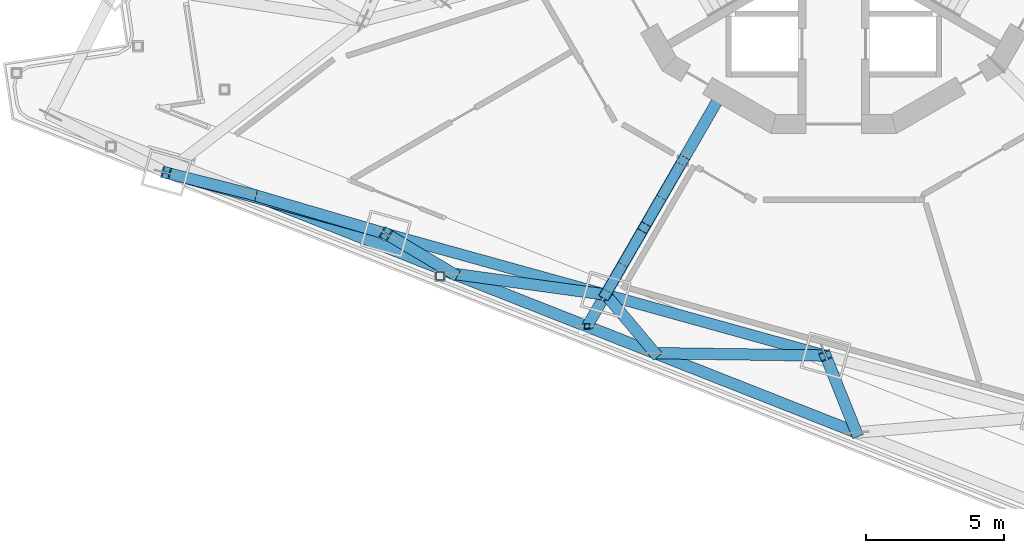
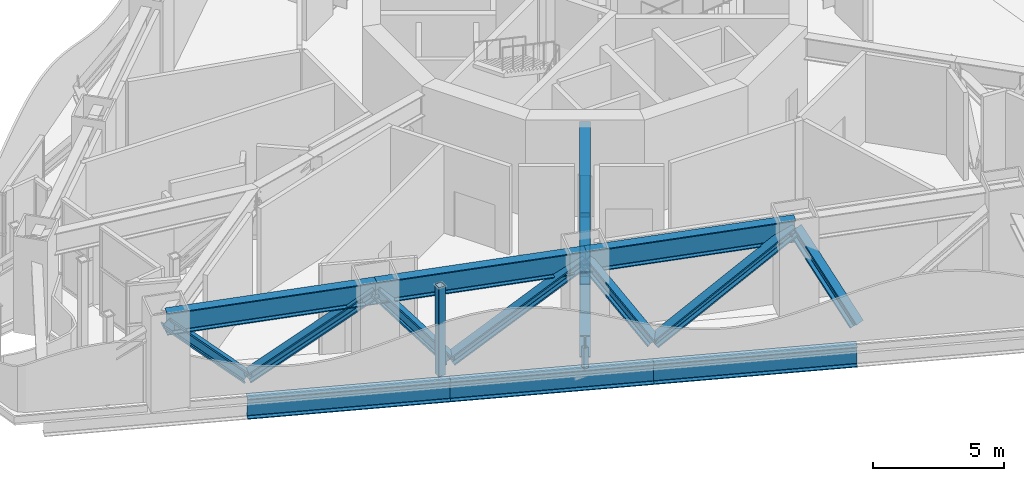
# One storey, part 1 of 27: 23 members.
"""IFC4 building model written with IfcOpenShell, lengths in metres."""

from ifc_helpers import new_model, si_unit, direction, frame, origin, origin_2d, place, context, subcontext, project, spatial, hollow_rectangle, i_section, extrude, material, material_profile, profile_set, type_object, element, save


model = new_model("IFC4")

# Units and contexts
model_context = context("Model", 3, precision=1e-05, world=origin(), true_north=direction((0.0, 1.0)))
body_context = subcontext(model_context, "Body", "Model", "MODEL_VIEW")
ifc_project = project(units=[si_unit("LENGTHUNIT", "METRE"), si_unit("AREAUNIT", "SQUARE_METRE"), si_unit("VOLUMEUNIT", "CUBIC_METRE"), si_unit("PLANEANGLEUNIT", "RADIAN"), si_unit("MASSUNIT", "GRAM", prefix="KILO")], contexts=[model_context])

# Site, building, storey
site_placement = place(None, origin())
site = spatial("IfcSite", under=ifc_project, at=site_placement, CompositionType="ELEMENT")
building_placement = place(site_placement, origin())
building = spatial("IfcBuilding", under=site, at=building_placement, Name="Trine Commons Tower", CompositionType="ELEMENT")
storey_placement = place(building_placement, frame((0.0, 0.0, 230.39990234375)))
storey = spatial("IfcBuildingStorey", under=building, at=storey_placement, Name="L60", CompositionType="ELEMENT", Elevation=230.39990234375)

# Members
ifc_material_1 = material(Name="Structural steel ASTM A500 Gr C", Category="steel")
ifc_material_profile_1 = material_profile(ifc_material_1, hollow_rectangle(XDim=0.406494140625, YDim=0.406494140625, WallThickness=0.017578125, InnerFilletRadius=0.0087890625, OuterFilletRadius=0.026611328125, at=origin_2d()), Name="HSS16X16X3/4")
ifc_profile_set_1 = profile_set([ifc_material_profile_1], Name="Structural steel ASTM A500 Gr C")
member_type_1 = type_object("IfcMemberType", Name="Steel brace HSS16X16X3/4, ASTM A500 Gr C", PredefinedType="BRACE", material=ifc_profile_set_1)
member_1_placement = place(storey_placement, frame((74.52490234375, 53.01708984375, 0.514404296875), z_axis=(-0.334015335039, -0.578575787703, 0.744099330629), x_axis=(0.866041964813, -0.499971314361, 0.0)))
element("IfcMember", 1, at=member_1_placement, inside=storey, type_object=member_type_1, Name="Outrigger truss brace T6-OB-05", PredefinedType="BRACE", context=body_context, shape_type="SweptSolid", body=[
    extrude(hollow_rectangle(XDim=0.406494140625, YDim=0.406494140625, WallThickness=0.017578125, InnerFilletRadius=0.0087890625, OuterFilletRadius=0.026611328125, at=origin_2d()), origin(), (0.0, 0.0, 1.0), 4.19482421875),
])
for number, where, z_axis, x_axis, name in (
    (2, (74.52490234375, 53.01708984375, 3.6357421875), (-0.333966842152, -0.57865080946, -0.744062758814), (0.866101455674, -0.499868251122, 0.0), "Outrigger truss brace T6-OB-06a"),
    (3, (73.824462890625, 51.803466796875, 2.0751953125), (-0.334063821995, -0.578500764918, -0.744135893385), (0.865982457891, -0.500074377092, 0.0), "Outrigger truss brace T6-OB-06b"),
):
    element("IfcMember", number, at=place(storey_placement, frame(where, z_axis=z_axis, x_axis=x_axis)), inside=storey, type_object=member_type_1, Name=name, PredefinedType="BRACE", context=body_context, shape_type="SweptSolid", body=[
        extrude(hollow_rectangle(XDim=0.406494140625, YDim=0.406494140625, WallThickness=0.017578125, InnerFilletRadius=0.0087890625, OuterFilletRadius=0.026611328125, at=origin_2d()), origin(), (0.0, 0.0, 1.0), 2.097412109375),
    ])
member_2_placement = place(storey_placement, frame((73.123779296875, 50.590087890625, 0.514404296875), z_axis=(-0.334067041233, -0.578564539529, 0.744084864489), x_axis=(0.866004242149, -0.500036651236, 0.0)))
element("IfcMember", 4, at=member_2_placement, inside=storey, type_object=member_type_1, Name="Outrigger truss brace T6-OB-07", PredefinedType="BRACE", context=body_context, shape_type="SweptSolid", body=[
    extrude(hollow_rectangle(XDim=0.406494140625, YDim=0.406494140625, WallThickness=0.017578125, InnerFilletRadius=0.0087890625, OuterFilletRadius=0.026611328125, at=origin_2d()), origin(), (0.0, 0.0, 1.0), 4.19482421875),
])
for number, where, z_axis, x_axis, name in (
    (5, (73.123779296875, 50.590087890625, 3.6357421875), (-0.334070258301, -0.578628311503, -0.744033829638), (0.866026021477, -0.499998930123, 0.0), "Outrigger truss brace T6-OB-08a"),
    (6, (72.423095703125, 49.37646484375, 2.0751953125), (-0.334063821995, -0.578500764918, -0.744135893385), (0.865982457891, -0.500074377092, 0.0), "Outrigger truss brace T6-OB-08b"),
):
    element("IfcMember", number, at=place(storey_placement, frame(where, z_axis=z_axis, x_axis=x_axis)), inside=storey, type_object=member_type_1, Name=name, PredefinedType="BRACE", context=body_context, shape_type="SweptSolid", body=[
        extrude(hollow_rectangle(XDim=0.406494140625, YDim=0.406494140625, WallThickness=0.017578125, InnerFilletRadius=0.0087890625, OuterFilletRadius=0.026611328125, at=origin_2d()), origin(), (0.0, 0.0, 1.0), 2.097412109375),
    ])
ifc_material_2 = material(Name="Structural steel ASTM A992 Gr50", Category="steel")
ifc_material_profile_2 = material_profile(ifc_material_2, i_section(OverallWidth=0.416015625, OverallDepth=0.444580078125, WebThickness=0.0390625, FlangeThickness=0.062744140625, FilletRadius=0.015380859375, at=origin_2d()), Name="W14X342")
ifc_profile_set_2 = profile_set([ifc_material_profile_2], Name="Structural steel ASTM A992 Gr50")
member_type_2 = type_object("IfcMemberType", Name="Steel brace W14X342, ASTM A992 Gr50", PredefinedType="BRACE", material=ifc_profile_set_2)
member_3_placement = place(storey_placement, frame((80.82080078125, 43.1630859375, 0.468505859375), z_axis=(-0.256255404276, 0.637678280432, 0.72642933479), x_axis=(-0.927881377157, -0.372875515319, 0.0)))
element("IfcMember", 7, at=member_3_placement, inside=storey, type_object=member_type_2, Name="Belt truss brace T6-DG-05", PredefinedType="BRACE", context=body_context, shape_type="SweptSolid", body=[
    extrude(i_section(OverallWidth=0.416015625, OverallDepth=0.444580078125, WebThickness=0.0390625, FlangeThickness=0.062744140625, FilletRadius=0.015380859375, at=origin_2d()), origin(), (0.0, 0.0, 1.0), 4.37109375),
])
member_4_placement = place(storey_placement, frame((73.516357421875, 46.04052734375, 0.468505859375), z_axis=(0.889518172768, -0.012957727912, 0.456716014173), x_axis=(0.014565585847, 0.999893916228, 0.0)))
element("IfcMember", 8, at=member_4_placement, inside=storey, type_object=member_type_2, Name="Belt truss brace T6-DG-06", PredefinedType="BRACE", context=body_context, shape_type="SweptSolid", body=[
    extrude(i_section(OverallWidth=0.416015625, OverallDepth=0.444580078125, WebThickness=0.0390625, FlangeThickness=0.062744140625, FilletRadius=0.015380859375, at=origin_2d()), origin(), (0.0, 0.0, 1.0), 6.952392578125),
])
member_5_placement = place(storey_placement, frame((73.516357421875, 46.04052734375, 0.468505859375), z_axis=(-0.423241017252, 0.503022383544, 0.753548620176), x_axis=(-0.765178533607, -0.643818151117, 0.0)))
element("IfcMember", 9, at=member_5_placement, inside=storey, type_object=member_type_2, Name="Belt truss brace T6-DG-07", PredefinedType="BRACE", context=body_context, shape_type="SweptSolid", body=[
    extrude(i_section(OverallWidth=0.416015625, OverallDepth=0.444580078125, WebThickness=0.0390625, FlangeThickness=0.062744140625, FilletRadius=0.015380859375, at=origin_2d()), origin(), (0.0, 0.0, 1.0), 4.2138671875),
])
member_6_placement = place(storey_placement, frame((66.212158203125, 48.917724609375, 0.468505859375), z_axis=(0.860779607848, -0.118117858009, 0.495082456095), x_axis=(0.135947980189, 0.990715976798, 0.0)))
element("IfcMember", 10, at=member_6_placement, inside=storey, type_object=member_type_2, Name="Belt truss brace T6-DG-08", PredefinedType="BRACE", context=body_context, shape_type="SweptSolid", body=[
    extrude(i_section(OverallWidth=0.416015625, OverallDepth=0.444580078125, WebThickness=0.0390625, FlangeThickness=0.062744140625, FilletRadius=0.015380859375, at=origin_2d()), origin(), (0.0, 0.0, 1.0), 6.41357421875),
])
member_7_placement = place(storey_placement, frame((66.212158203125, 48.917724609375, 0.468505859375), z_axis=(-0.573958159443, 0.340572938185, 0.744702695702), x_axis=(-0.510300866195, -0.859995945316, 0.0)))
element("IfcMember", 11, at=member_7_placement, inside=storey, type_object=member_type_2, Name="Belt truss brace T6-DG-09", PredefinedType="BRACE", context=body_context, shape_type="SweptSolid", body=[
    extrude(i_section(OverallWidth=0.416015625, OverallDepth=0.444580078125, WebThickness=0.0390625, FlangeThickness=0.062744140625, FilletRadius=0.015380859375, at=origin_2d()), origin(), (0.0, 0.0, 1.0), 4.263916015625),
])
member_8_placement = place(storey_placement, frame((58.90771484375, 51.794921875, 0.468505859375), z_axis=(0.812862130597, -0.238485863599, 0.531394062354), x_axis=(0.281523898573, 0.959554216567, 0.0)))
element("IfcMember", 12, at=member_8_placement, inside=storey, type_object=member_type_2, Name="Belt truss brace T6-DG-10", PredefinedType="BRACE", context=body_context, shape_type="SweptSolid", body=[
    extrude(i_section(OverallWidth=0.416015625, OverallDepth=0.444580078125, WebThickness=0.0390625, FlangeThickness=0.062744140625, FilletRadius=0.015380859375, at=origin_2d()), origin(), (0.0, 0.0, 1.0), 5.975341796875),
])
member_9_placement = place(storey_placement, frame((58.90771484375, 51.794921875, 0.468505859375), z_axis=(-0.689165246235, 0.173832765767, 0.70344397995), x_axis=(-0.244576282694, -0.969630054167, 0.0)))
element("IfcMember", 13, at=member_9_placement, inside=storey, type_object=member_type_2, Name="Belt truss brace T6-DG-11", PredefinedType="BRACE", context=body_context, shape_type="SweptSolid", body=[
    extrude(i_section(OverallWidth=0.416015625, OverallDepth=0.444580078125, WebThickness=0.0390625, FlangeThickness=0.062744140625, FilletRadius=0.015380859375, at=origin_2d()), origin(), (0.0, 0.0, 1.0), 4.513916015625),
])
ifc_material_profile_3 = material_profile(ifc_material_2, i_section(OverallWidth=0.419189453125, OverallDepth=0.9365234375, WebThickness=0.021240234375, FlangeThickness=0.03662109375, FilletRadius=0.024169921875, at=origin_2d()), Name="W36X262")
ifc_profile_set_3 = profile_set([ifc_material_profile_3], Name="Structural steel ASTM A992 Gr50")
member_type_3 = type_object("IfcMemberType", Name="Steel chord W36X262, ASTM A992 Gr50", PredefinedType="CHORD", material=ifc_profile_set_3)
member_10_placement = place(storey_placement, frame((80.82080078125, 43.1630859375, -0.918212890625), z_axis=(-0.93041128502, 0.366517176552, 0.0), x_axis=(-0.366517176552, -0.93041128502, 0.0)))
element("IfcMember", 14, at=member_10_placement, inside=storey, type_object=member_type_3, Name="Belt truss chord T6-LC-03", PredefinedType="CHORD", context=body_context, shape_type="SweptSolid", body=[
    extrude(i_section(OverallWidth=0.419189453125, OverallDepth=0.9365234375, WebThickness=0.021240234375, FlangeThickness=0.03662109375, FilletRadius=0.024169921875, at=origin_2d()), origin(), (0.0, 0.0, 1.0), 7.850830078125),
])
member_11_placement = place(storey_placement, frame((73.516357421875, 46.04052734375, -0.918212890625), z_axis=(-0.930417712306, 0.366500860336, 0.0), x_axis=(-0.366500860336, -0.930417712306, 0.0)))
element("IfcMember", 15, at=member_11_placement, inside=storey, type_object=member_type_3, Name="Belt truss chord T6-LC-04", PredefinedType="CHORD", context=body_context, shape_type="SweptSolid", body=[
    extrude(i_section(OverallWidth=0.419189453125, OverallDepth=0.9365234375, WebThickness=0.021240234375, FlangeThickness=0.03662109375, FilletRadius=0.024169921875, at=origin_2d()), origin(), (0.0, 0.0, 1.0), 7.850341796875),
])
member_12_placement = place(storey_placement, frame((66.212158203125, 48.917724609375, -0.918212890625), z_axis=(-0.930421889422, 0.366490255919, 0.0), x_axis=(-0.366490255919, -0.930421889422, 0.0)))
element("IfcMember", 16, at=member_12_placement, inside=storey, type_object=member_type_3, Name="Belt truss chord T6-LC-05", PredefinedType="CHORD", context=body_context, shape_type="SweptSolid", body=[
    extrude(i_section(OverallWidth=0.419189453125, OverallDepth=0.9365234375, WebThickness=0.021240234375, FlangeThickness=0.03662109375, FilletRadius=0.024169921875, at=origin_2d()), origin(), (0.0, 0.0, 1.0), 7.8505859375),
])
ifc_material_profile_4 = material_profile(ifc_material_2, i_section(OverallWidth=0.4033203125, OverallDepth=1.0126953125, WebThickness=0.023681640625, FlangeThickness=0.0419921875, FilletRadius=0.030029296875, at=origin_2d()), Name="W40X297")
ifc_profile_set_4 = profile_set([ifc_material_profile_4], Name="Structural steel ASTM A992 Gr50")
member_type_4 = type_object("IfcMemberType", Name="Steel chord W40X297, ASTM A992 Gr50", PredefinedType="CHORD", material=ifc_profile_set_4)
member_13_placement = place(storey_placement, frame((79.70068359375, 45.950439453125, 3.643798828125), z_axis=(-0.963628657356, 0.267244851628, 0.0), x_axis=(-0.267244851628, -0.963628657356, 0.0)))
element("IfcMember", 17, at=member_13_placement, inside=storey, type_object=member_type_4, Name="Belt truss chord T6-UC-03", PredefinedType="CHORD", context=body_context, shape_type="SweptSolid", body=[
    extrude(i_section(OverallWidth=0.4033203125, OverallDepth=1.0126953125, WebThickness=0.023681640625, FlangeThickness=0.0419921875, FilletRadius=0.030029296875, at=origin_2d()), origin(), (0.0, 0.0, 1.0), 8.2685546875),
])
for number, where, z_axis, x_axis, name in (
    (18, (71.73291015625, 48.16015625, 3.643798828125), (-0.963630766047, 0.267237248016, 0.0), (-0.267237248016, -0.963630766047, 0.0), "Belt truss chord T6-UC-04"),
    (19, (63.764892578125, 50.369873046875, 3.643798828125), (-0.963630766047, 0.267237248016, 0.0), (-0.267237248016, -0.963630766047, 0.0), "Belt truss chord T6-UC-05"),
):
    element("IfcMember", number, at=place(storey_placement, frame(where, z_axis=z_axis, x_axis=x_axis)), inside=storey, type_object=member_type_4, Name=name, PredefinedType="CHORD", context=body_context, shape_type="SweptSolid", body=[
        extrude(i_section(OverallWidth=0.4033203125, OverallDepth=1.0126953125, WebThickness=0.023681640625, FlangeThickness=0.0419921875, FilletRadius=0.030029296875, at=origin_2d()), origin(), (0.0, 0.0, 1.0), 8.268798828125),
    ])
ifc_material_profile_5 = material_profile(ifc_material_2, i_section(OverallWidth=0.406494140625, OverallDepth=1.02880859375, WebThickness=0.0283203125, FlangeThickness=0.051025390625, FilletRadius=0.02978515625, at=origin_2d()), Name="W40X362")
ifc_profile_set_5 = profile_set([ifc_material_profile_5], Name="Structural steel ASTM A992 Gr50")
member_type_5 = type_object("IfcMemberType", Name="Steel chord W40X362, ASTM A992 Gr50", PredefinedType="CHORD", material=ifc_profile_set_5)
member_14_placement = place(storey_placement, frame((74.52490234375, 53.01708984375, 0.514404296875), z_axis=(-0.500003746224, -0.86602324089, 0.0), x_axis=(0.86602324089, -0.500003746224, 0.0)))
element("IfcMember", 20, at=member_14_placement, inside=storey, type_object=member_type_5, Name="Outrigger truss chord T6-OL-02", PredefinedType="CHORD", context=body_context, shape_type="SweptSolid", body=[
    extrude(i_section(OverallWidth=0.406494140625, OverallDepth=1.02880859375, WebThickness=0.0283203125, FlangeThickness=0.051025390625, FilletRadius=0.02978515625, at=origin_2d()), origin(), (0.0, 0.0, 1.0), 6.93701171875),
])
member_15_placement = place(storey_placement, frame((75.949951171875, 55.485107421875, 3.6357421875), z_axis=(-0.500014901547, -0.866016800201, 0.0), x_axis=(0.866016800201, -0.500014901547, 0.0)))
element("IfcMember", 21, at=member_15_placement, inside=storey, type_object=member_type_5, Name="Outrigger truss chord T6-OU-02", PredefinedType="CHORD", context=body_context, shape_type="SweptSolid", body=[
    extrude(i_section(OverallWidth=0.406494140625, OverallDepth=1.02880859375, WebThickness=0.0283203125, FlangeThickness=0.051025390625, FilletRadius=0.02978515625, at=origin_2d()), origin(), (0.0, 0.0, 1.0), 8.454833984375),
])
ifc_material_profile_6 = material_profile(ifc_material_1, hollow_rectangle(XDim=0.3046875, YDim=0.3046875, WallThickness=0.014892578125, InnerFilletRadius=0.00732421875, OuterFilletRadius=0.022216796875, at=origin_2d()), Name="HSS12X12X5/8")
ifc_profile_set_6 = profile_set([ifc_material_profile_6], Name="Structural steel ASTM A500 Gr C")
member_type_6 = type_object("IfcMemberType", Name="Steel post HSS12X12X5/8, ASTM A500 Gr C", PredefinedType="POST", material=ifc_profile_set_6)
member_16_placement = place(storey_placement, frame((65.72998046875, 48.839111328125, 0.0), z_axis=(0.0, 0.0, 1.0), x_axis=(1.0, 0.0, 0.0)))
element("IfcMember", 22, at=member_16_placement, inside=storey, type_object=member_type_6, Name="Roof post SP6-33", PredefinedType="POST", context=body_context, shape_type="SweptSolid", body=[
    extrude(hollow_rectangle(XDim=0.3046875, YDim=0.3046875, WallThickness=0.014892578125, InnerFilletRadius=0.00732421875, OuterFilletRadius=0.022216796875, at=origin_2d()), origin(), (0.0, 0.0, 1.0), 4.150146484375),
])
ifc_material_profile_7 = material_profile(ifc_material_1, hollow_rectangle(XDim=0.203125, YDim=0.203125, WallThickness=0.0087890625, InnerFilletRadius=0.00439453125, OuterFilletRadius=0.013427734375, at=origin_2d()), Name="HSS8X8X3/8")
ifc_profile_set_7 = profile_set([ifc_material_profile_7], Name="Structural steel ASTM A500 Gr C")
member_type_7 = type_object("IfcMemberType", Name="Steel post HSS8X8X3/8, ASTM A500 Gr C", PredefinedType="POST", material=ifc_profile_set_7)
member_17_placement = place(storey_placement, frame((71.056396484375, 47.009521484375, -0.449951171875), z_axis=(0.0, 0.0, 1.0), x_axis=(1.0, 0.0, 0.0)))
element("IfcMember", 23, at=member_17_placement, inside=storey, type_object=member_type_7, Name="Outrigger truss post T6-OS-02", PredefinedType="POST", context=body_context, shape_type="SweptSolid", body=[
    extrude(hollow_rectangle(XDim=0.203125, YDim=0.203125, WallThickness=0.0087890625, InnerFilletRadius=0.00439453125, OuterFilletRadius=0.013427734375, at=origin_2d()), origin(), (0.0, 0.0, 1.0), 0.96435546875),
])

save(model, "model.ifc")
